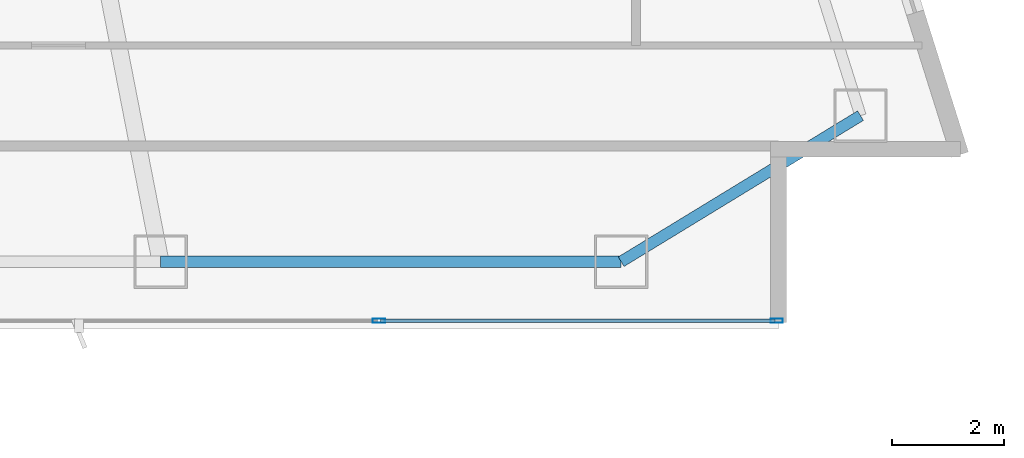
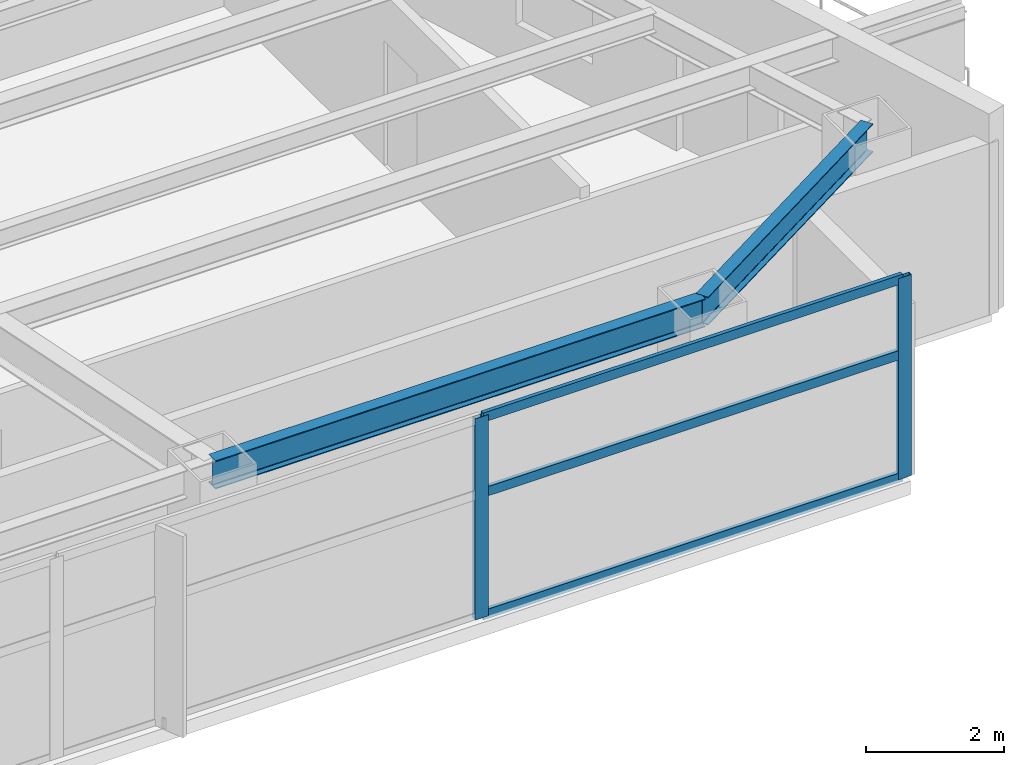
# One storey, part 14 of 30: 5 members, 2 beams, 1 element without a shape of its own.
"""IFC4 building model written with IfcOpenShell, lengths in metres."""

from ifc_helpers import new_model, si_unit, direction, frame, origin, origin_2d, place, context, subcontext, project, spatial, hollow_rectangle, i_section, extrude, material, layer, layer_set, material_profile, profile_set, type_object, element, aggregate, save


model = new_model("IFC4")

# Units and contexts
model_context = context("Model", 3, precision=1e-05, world=origin(), true_north=direction((0.0, 1.0)))
body_context = subcontext(model_context, "Body", "Model", "MODEL_VIEW")
ifc_project = project(units=[si_unit("LENGTHUNIT", "METRE"), si_unit("AREAUNIT", "SQUARE_METRE"), si_unit("VOLUMEUNIT", "CUBIC_METRE"), si_unit("PLANEANGLEUNIT", "RADIAN"), si_unit("MASSUNIT", "GRAM", prefix="KILO")], contexts=[model_context])

# Site, building, storey
site_placement = place(None, origin())
site = spatial("IfcSite", under=ifc_project, at=site_placement, CompositionType="ELEMENT")
building_placement = place(site_placement, origin())
building = spatial("IfcBuilding", under=site, at=building_placement, Name="Calvorn Quay Hotel", CompositionType="ELEMENT")
storey_placement = place(building_placement, frame((0.0, 0.0, 73.60009765625)))
storey = spatial("IfcBuildingStorey", under=building, at=storey_placement, Name="L17", CompositionType="ELEMENT", Elevation=73.60009765625)

# Beams
ifc_material_1 = material(Name="Steel Q355B", Category="steel")
ifc_material_profile_1 = material_profile(ifc_material_1, i_section(OverallWidth=0.199951171875, OverallDepth=0.5, WebThickness=0.010009765625, FlangeThickness=0.01611328125, FilletRadius=0.01611328125, at=origin_2d()), Name="HN500x200x10x16")
ifc_profile_set_1 = profile_set([ifc_material_profile_1], Name="Steel Q355B")
beam_type = type_object("IfcBeamType", Name="BM-SPANDREL-Z1", PredefinedType="SPANDREL", material=ifc_profile_set_1)
beam_1_placement = place(storey_placement, frame((49.39990234375, 3.60009765625, 3.289794921875), z_axis=(1.0, 0.0, 0.0), x_axis=(0.0, 1.0, 0.0)))
element("IfcBeam", 1, at=beam_1_placement, inside=storey, type_object=beam_type, Name="Beam BSP-L17-S6", PredefinedType="SPANDREL", context=body_context, shape_type="SweptSolid", body=[
    extrude(i_section(OverallWidth=0.199951171875, OverallDepth=0.5, WebThickness=0.010009765625, FlangeThickness=0.01611328125, FilletRadius=0.01611328125, at=origin_2d()), origin(), (0.0, 0.0, 1.0), 8.2001953125),
])
beam_2_placement = place(storey_placement, frame((57.60009765625, 3.60009765625, 3.289794921875), z_axis=(0.853645546466, 0.520854376, 0.0), x_axis=(-0.520854376, 0.853645546466, 0.0)))
element("IfcBeam", 2, at=beam_2_placement, inside=storey, type_object=beam_type, Name="Beam BSP-L17-S7", PredefinedType="SPANDREL", context=body_context, shape_type="SweptSolid", body=[
    extrude(i_section(OverallWidth=0.199951171875, OverallDepth=0.5, WebThickness=0.010009765625, FlangeThickness=0.01611328125, FilletRadius=0.01611328125, at=origin_2d()), origin(), (0.0, 0.0, 1.0), 4.991455078125),
])

# Curtain wall, members
ifc_material_2 = material(Name="Pale Anodised Aluminium and Low-E Glass", Category="aluminium")
ifc_layer = layer(ifc_material_2, 0.219970703125)
ifc_layer_set = layer_set([ifc_layer], Name="CW-SYS-Z1")
curtain_wall_type = type_object("IfcCurtainWallType", Name="CW-SYS-Z1", PredefinedType="NOTDEFINED", material=ifc_layer_set)
curtain_wall_placement = place(storey_placement, origin())
curtain_wall = element("IfcCurtainWall", 3, at=curtain_wall_placement, inside=storey, type_object=curtain_wall_type, Name="Tower South Waterfront Curtain Wall (L17)", PredefinedType="NOTDEFINED")
ifc_material_3 = material(Name="Pale Anodised Aluminium 6063-T6", Category="aluminium")
ifc_material_profile_2 = material_profile(ifc_material_3, hollow_rectangle(XDim=0.074951171875, YDim=0.219970703125, WallThickness=0.00439453125, at=origin_2d()), Name="ALU-M220x75x4.5")
ifc_profile_set_2 = profile_set([ifc_material_profile_2], Name="Pale Anodised Aluminium 6063-T6")
member_type_1 = type_object("IfcMemberType", Name="CW-SYS-Z1-MUL", PredefinedType="MULLION", material=ifc_profile_set_2)
member_1_placement = place(storey_placement, frame((53.28564453125, 2.550048828125, 0.0), z_axis=(0.0, 0.0, 1.0), x_axis=(0.0, 1.0, 0.0)))
member_1 = element("IfcMember", 4, at=member_1_placement, type_object=member_type_1, Name="CW-L17-S mullion 7", PredefinedType="MULLION", context=body_context, shape_type="SweptSolid", body=[
    extrude(hollow_rectangle(XDim=0.074951171875, YDim=0.219970703125, WallThickness=0.00439453125, at=origin_2d()), origin(), (0.0, 0.0, 1.0), 3.559814453125),
])
member_2_placement = place(storey_placement, frame((60.3701171875, 2.550048828125, 0.0), z_axis=(0.0, 0.0, 1.0), x_axis=(0.0, 1.0, 0.0)))
member_2 = element("IfcMember", 5, at=member_2_placement, type_object=member_type_1, Name="CW-L17-S mullion 8", PredefinedType="MULLION", context=body_context, shape_type="SweptSolid", body=[
    extrude(hollow_rectangle(XDim=0.074951171875, YDim=0.219970703125, WallThickness=0.00439453125, at=origin_2d()), origin(), (0.0, 0.0, 1.0), 3.559814453125),
])
ifc_material_4 = material(Name="Pale Anodised Aluminium 6063-T6", Category="aluminium")
ifc_material_profile_3 = material_profile(ifc_material_4, hollow_rectangle(XDim=0.06494140625, YDim=0.1650390625, WallThickness=0.00341796875, at=origin_2d()), Name="ALU-T165x65x3.5")
ifc_profile_set_3 = profile_set([ifc_material_profile_3], Name="Pale Anodised Aluminium 6063-T6")
member_type_2 = type_object("IfcMemberType", Name="CW-SYS-Z1-TRN", PredefinedType="USERDEFINED", material=ifc_profile_set_3)
member_3_placement = place(storey_placement, frame((53.315673828125, 2.550048828125, 0.02978515625), z_axis=(1.0, 0.0, 0.0), x_axis=(0.0, 1.0, 0.0)))
member_3 = element("IfcMember", 6, at=member_3_placement, type_object=member_type_2, Name="CW-L17-S transom 7.1", ObjectType="TRANSOM", PredefinedType="USERDEFINED", context=body_context, shape_type="SweptSolid", body=[
    extrude(hollow_rectangle(XDim=0.06494140625, YDim=0.1650390625, WallThickness=0.00341796875, at=origin_2d()), origin(), (0.0, 0.0, 1.0), 7.0244140625),
])
member_4_placement = place(storey_placement, frame((53.315673828125, 2.550048828125, 2.199951171875), z_axis=(1.0, 0.0, 0.0), x_axis=(0.0, 1.0, 0.0)))
member_4 = element("IfcMember", 7, at=member_4_placement, type_object=member_type_2, Name="CW-L17-S transom 7.2", ObjectType="TRANSOM", PredefinedType="USERDEFINED", context=body_context, shape_type="SweptSolid", body=[
    extrude(hollow_rectangle(XDim=0.06494140625, YDim=0.1650390625, WallThickness=0.00341796875, at=origin_2d()), origin(), (0.0, 0.0, 1.0), 7.0244140625),
])
member_5_placement = place(storey_placement, frame((53.315673828125, 2.550048828125, 3.52978515625), z_axis=(1.0, 0.0, 0.0), x_axis=(0.0, 1.0, 0.0)))
member_5 = element("IfcMember", 8, at=member_5_placement, type_object=member_type_2, Name="CW-L17-S transom 7.3", ObjectType="TRANSOM", PredefinedType="USERDEFINED", context=body_context, shape_type="SweptSolid", body=[
    extrude(hollow_rectangle(XDim=0.06494140625, YDim=0.1650390625, WallThickness=0.00341796875, at=origin_2d()), origin(), (0.0, 0.0, 1.0), 7.0244140625),
])
aggregate(curtain_wall, [member_1, member_2, member_3, member_4, member_5])

save(model, "model.ifc")
